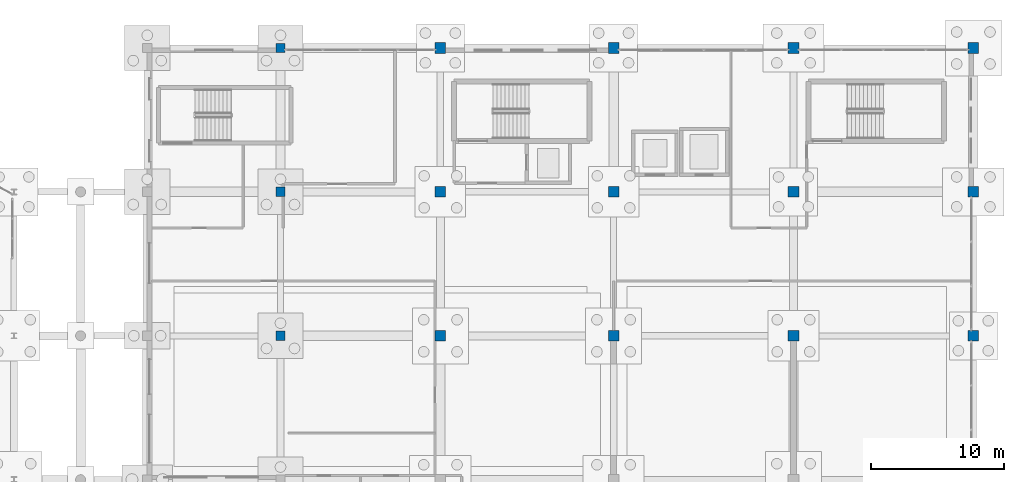
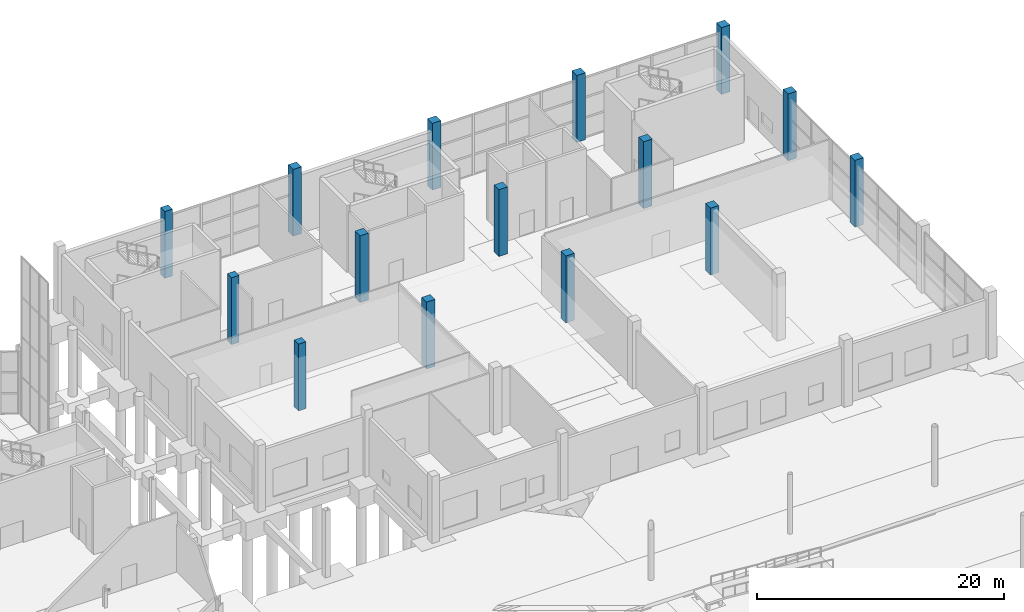
# One storey, part 31 of 115: 15 columns.
"""IFC4 building model written with IfcOpenShell, lengths in metres."""

import ifcopenshell
import ifcopenshell.guid

model = None  # the IFC model being written
_history = None  # IfcOwnerHistory: only IFC2X3 demands one
_inside = {}  # id of a spatial element -> (the spatial element, [elements in it])
_under = {}  # id of a project, library or spatial element -> (it, [spatial elements below it])
_declared = {}  # id of a project -> (the project, [libraries it declares])
_typed = {}  # id of a type object -> (the type object, [elements of that type])
_made_of = {}  # id of a material, layer set ... -> (it, [elements and type objects made of it])


def new_model(schema):
    """Start an empty IFC model of exactly this schema.

    Asked for "IFC4X3", IfcOpenShell would pick the latest addendum, in which some entities
    have other attributes; the version numbers below select the first issue.
    IFC2X3 requires an IfcOwnerHistory on every rooted entity: one is made here for all.
    """
    global model, _history
    if schema == "IFC4X3":
        model = ifcopenshell.file(schema_version=(4, 3, 0, 0))
    else:
        model = ifcopenshell.file(schema=schema)
    _inside.clear()
    _under.clear()
    _declared.clear()
    _typed.clear()
    _made_of.clear()
    _history = None
    if model.schema == "IFC2X3":
        org = make("IfcOrganization", Name="unknown")
        user = make(
            "IfcPersonAndOrganization",
            ThePerson=make("IfcPerson", FamilyName="unknown"),
            TheOrganization=org,
        )
        app = make(
            "IfcApplication",
            ApplicationDeveloper=org,
            Version="unknown",
            ApplicationFullName="unknown",
            ApplicationIdentifier="unknown",
        )
        _history = make(
            "IfcOwnerHistory",
            OwningUser=user,
            OwningApplication=app,
            ChangeAction="ADDED",
            CreationDate=0,
        )
    return model


def make(cls, **values):
    """One entity of the class cls with the attributes given. An attribute that is None is left unset."""
    return model.create_entity(
        cls, **{name: value for name, value in values.items() if value is not None}
    )


def rooted(cls, **values):
    """An entity with a GlobalId (a new one), such as an element, a storey or a relation."""
    return make(cls, GlobalId=ifcopenshell.guid.new(), OwnerHistory=_history, **values)


def si_unit(unit_type, name, prefix=None):
    """IfcSIUnit, for example si_unit("LENGTHUNIT", "METRE", prefix="MILLI")."""
    return make("IfcSIUnit", UnitType=unit_type, Prefix=prefix, Name=name)


def assignment(units):
    """IfcUnitAssignment: the units of a project."""
    return None if units is None else make("IfcUnitAssignment", Units=units)


def point(xyz):
    """IfcCartesianPoint."""
    return None if xyz is None else make("IfcCartesianPoint", Coordinates=xyz)


def direction(xyz):
    """IfcDirection."""
    return None if xyz is None else make("IfcDirection", DirectionRatios=xyz)


def frame(location, z_axis=None, x_axis=None):
    """IfcAxis2Placement3D, a coordinate frame: its origin and axes. An axis left out is left unset."""
    return make(
        "IfcAxis2Placement3D",
        Location=point(location),
        Axis=direction(z_axis),
        RefDirection=direction(x_axis),
    )


def frame_2d(location, x_axis=None):
    """IfcAxis2Placement2D, a coordinate frame in the plane: its origin and x axis."""
    return make(
        "IfcAxis2Placement2D", Location=point(location), RefDirection=direction(x_axis)
    )


def origin():
    """The frame at (0, 0, 0) with its axes left unset."""
    return frame((0.0, 0.0, 0.0))


def origin_2d():
    """The frame at (0, 0) in the plane with its x axis left unset."""
    return frame_2d((0.0, 0.0))


def place(relative_to, where):
    """IfcLocalPlacement: puts the frame where relative to a parent placement (None: the world)."""
    return make(
        "IfcLocalPlacement", PlacementRelTo=relative_to, RelativePlacement=where
    )


def context(
    kind, dimensions, precision=None, world=None, true_north=None, identifier=None
):
    """IfcGeometricRepresentationContext, for example the 3D "Model" context."""
    return make(
        "IfcGeometricRepresentationContext",
        ContextIdentifier=identifier,
        ContextType=kind,
        CoordinateSpaceDimension=dimensions,
        Precision=precision,
        WorldCoordinateSystem=world,
        TrueNorth=true_north,
    )


def subcontext(parent, identifier, kind, view, scale=None):
    """IfcGeometricRepresentationSubContext, for example "Body" below "Model"."""
    return make(
        "IfcGeometricRepresentationSubContext",
        ContextIdentifier=identifier,
        ContextType=kind,
        ParentContext=parent,
        TargetScale=scale,
        TargetView=view,
    )


def project(units=None, contexts=None):
    """IfcProject with its units and contexts."""
    return rooted(
        "IfcProject",
        Name="project",
        RepresentationContexts=contexts,
        UnitsInContext=assignment(units),
    )


def spatial(cls, under=None, at=None, **own):
    """A site, building, storey or space (cls), placed at a placement, below another one or the project."""
    s = rooted(cls, ObjectPlacement=at, **own)
    if under is not None:
        _under.setdefault(under.id(), (under, []))[1].append(s)
    return s


def profile(cls, at=None, kind="AREA", **sizes):
    """A parametric profile (cls). Its sizes go by their IFC names, for example OverallWidth=200.0."""
    return make(cls, ProfileType=kind, Position=at, **sizes)


def rectangle(**sizes):
    """IfcRectangleProfileDef."""
    return profile("IfcRectangleProfileDef", **sizes)


def extrude(swept, where, along, depth):
    """IfcExtrudedAreaSolid: the profile swept, set in the frame where, extruded along a direction by depth."""
    return make(
        "IfcExtrudedAreaSolid",
        SweptArea=swept,
        Position=where,
        ExtrudedDirection=direction(along),
        Depth=depth,
    )


def shape(context_of_items, identifier, shape_type, items):
    """IfcShapeRepresentation: the items that make up one representation, for example the "Body"."""
    return make(
        "IfcShapeRepresentation",
        ContextOfItems=context_of_items,
        RepresentationIdentifier=identifier,
        RepresentationType=shape_type,
        Items=items,
    )


def material(Name=None, Category=None):
    """IfcMaterial."""
    return make("IfcMaterial", Name=Name, Category=Category)


def material_profile(
    of_material, cross_section, Name=None, Category=None, Priority=None
):
    """IfcMaterialProfile: a cross section and its material."""
    return make(
        "IfcMaterialProfile",
        Name=Name,
        Material=of_material,
        Profile=cross_section,
        Priority=Priority,
        Category=Category,
    )


def profile_set(profiles, Name=None, composite=None):
    """IfcMaterialProfileSet."""
    return make(
        "IfcMaterialProfileSet",
        Name=Name,
        MaterialProfiles=profiles,
        CompositeProfile=composite,
    )


def made_of(thing, what):
    """Note that an element or type object is made of a material, layer set ...; save() writes the relation."""
    if what is not None:
        _made_of.setdefault(what.id(), (what, []))[1].append(thing)
    return thing


def type_object(cls, material=None, **own):
    """A type object (cls), such as IfcWallType, which elements share."""
    return made_of(rooted(cls, **own), material)


def element(
    cls,
    number,
    at=None,
    inside=None,
    cuts=None,
    type_object=None,
    material=None,
    context=None,
    identifier="Body",
    shape_type=None,
    held_by="IfcProductDefinitionShape",
    body=None,
    shapes=None,
    **own,
):
    """One element of the class cls, such as IfcWall. Its Tag is "e" and its number.

    at: its placement. inside: the storey or other place that contains it. cuts: it is an
    opening in that element (IfcRelVoidsElement). A single representation is given by context,
    identifier, shape_type and body (its items); several are given by shapes. held_by: the class
    of the entity that holds the representations. save() writes the other relations.
    """
    e = rooted(cls, Tag="e%d" % number, ObjectPlacement=at, **own)
    if body is not None:
        shapes = [shape(context, identifier, shape_type, body)]
    if shapes is not None:
        e.Representation = make(held_by, Representations=shapes)
    if inside is not None:
        _inside.setdefault(inside.id(), (inside, []))[1].append(e)
    if cuts is not None:
        rooted(
            "IfcRelVoidsElement", RelatingBuildingElement=cuts, RelatedOpeningElement=e
        )
    if type_object is not None:
        _typed.setdefault(type_object.id(), (type_object, []))[1].append(e)
    return made_of(e, material)


def aggregate(whole, parts):
    """IfcRelAggregates: a whole, such as a stair, and the parts it consists of."""
    return rooted("IfcRelAggregates", RelatingObject=whole, RelatedObjects=parts)


def save(model, path):
    """Write the relations noted so far, then the file.

    IfcRelAggregates (storeys below a building ...), IfcRelContainedInSpatialStructure (elements
    in a storey), IfcRelDefinesByType, IfcRelAssociatesMaterial and IfcRelDeclares: one each for
    every whole, place, type object, material and project.
    """
    for whole, parts in _under.values():
        aggregate(whole, parts)
    for where, things in _inside.values():
        rooted(
            "IfcRelContainedInSpatialStructure",
            RelatedElements=things,
            RelatingStructure=where,
        )
    for kind, things in _typed.values():
        rooted("IfcRelDefinesByType", RelatedObjects=things, RelatingType=kind)
    for what, things in _made_of.values():
        rooted("IfcRelAssociatesMaterial", RelatedObjects=things, RelatingMaterial=what)
    for by, libraries in _declared.values():
        rooted("IfcRelDeclares", RelatingContext=by, RelatedDefinitions=libraries)
    model.write(path)


model = new_model("IFC4")

# Units and contexts
model_context = context("Model", 3, precision=1e-05, world=origin(), true_north=direction((0.0, 1.0)))
body_context = subcontext(model_context, "Body", "Model", "MODEL_VIEW")
ifc_project = project(units=[si_unit("LENGTHUNIT", "METRE"), si_unit("AREAUNIT", "SQUARE_METRE"), si_unit("VOLUMEUNIT", "CUBIC_METRE"), si_unit("PLANEANGLEUNIT", "RADIAN"), si_unit("MASSUNIT", "GRAM", prefix="KILO")], contexts=[model_context])

# Site, building, storey
site_placement = place(None, origin())
site = spatial("IfcSite", under=ifc_project, at=site_placement, CompositionType="ELEMENT")
building_placement = place(site_placement, origin())
building = spatial("IfcBuilding", under=site, at=building_placement, Name="Tamarisk Ironworks Central Station", CompositionType="ELEMENT")
storey_placement = place(building_placement, origin())
storey = spatial("IfcBuildingStorey", under=building, at=storey_placement, Name="L00", CompositionType="ELEMENT", Elevation=0.0)

# Columns
ifc_material = material(Name="Concrete C50/60", Category="concrete")
ifc_material_profile_1 = material_profile(ifc_material, rectangle(XDim=0.800048828125, YDim=0.800048828125, at=origin_2d()), Name="RC 800x800")
ifc_profile_set_1 = profile_set([ifc_material_profile_1], Name="Concrete C50/60")
column_type_1 = type_object("IfcColumnType", Name="COL-RC01", PredefinedType="COLUMN", material=ifc_profile_set_1)
for number, where, z_axis, x_axis, name in (
    (1, (140.0, 100.800048828125, 0.0), (0.0, 0.0, 1.0), (1.0, 0.0, 0.0), "L00 column V5-17J"),
    (2, (140.0, 111.60009765625, 0.0), (0.0, 0.0, 1.0), (1.0, 0.0, 0.0), "L00 column V5-17L"),
    (3, (140.0, 122.39990234375, 0.0), (0.0, 0.0, 1.0), (1.0, 0.0, 0.0), "L00 column V5-17N"),
    (4, (153.0, 100.800048828125, 0.0), (0.0, 0.0, 1.0), (1.0, 0.0, 0.0), "L00 column V5-18J"),
    (5, (153.0, 111.60009765625, 0.0), (0.0, 0.0, 1.0), (1.0, 0.0, 0.0), "L00 column V5-18L"),
    (6, (153.0, 122.39990234375, 0.0), (0.0, 0.0, 1.0), (1.0, 0.0, 0.0), "L00 column V5-18N"),
    (7, (166.5, 100.800048828125, 0.0), (0.0, 0.0, 1.0), (1.0, 0.0, 0.0), "L00 column V5-19J"),
    (8, (166.5, 111.60009765625, 0.0), (0.0, 0.0, 1.0), (1.0, 0.0, 0.0), "L00 column V5-19L"),
    (9, (166.5, 122.39990234375, 0.0), (0.0, 0.0, 1.0), (1.0, 0.0, 0.0), "L00 column V5-19N"),
    (10, (180.0, 100.800048828125, 0.0), (0.0, 0.0, 1.0), (1.0, 0.0, 0.0), "L00 column V5-20J"),
    (11, (180.0, 111.60009765625, 0.0), (0.0, 0.0, 1.0), (1.0, 0.0, 0.0), "L00 column V5-20L"),
    (12, (180.0, 122.39990234375, 0.0), (0.0, 0.0, 1.0), (1.0, 0.0, 0.0), "L00 column V5-20N"),
):
    element("IfcColumn", number, at=place(storey_placement, frame(where, z_axis=z_axis, x_axis=x_axis)), inside=storey, type_object=column_type_1, Name=name, PredefinedType="COLUMN", context=body_context, shape_type="SweptSolid", body=[
        extrude(rectangle(XDim=0.800048828125, YDim=0.800048828125, at=origin_2d()), origin(), (0.0, 0.0, 1.0), 6.60009765625),
    ])
ifc_material_profile_2 = material_profile(ifc_material, rectangle(XDim=0.699951171875, YDim=0.699951171875, at=origin_2d()), Name="RC 700x700")
ifc_profile_set_2 = profile_set([ifc_material_profile_2], Name="Concrete C50/60")
column_type_2 = type_object("IfcColumnType", Name="COL-RC02", PredefinedType="COLUMN", material=ifc_profile_set_2)
for number, where, z_axis, x_axis, name in (
    (13, (128.0, 100.800048828125, 0.0), (0.0, 0.0, 1.0), (1.0, 0.0, 0.0), "L00 column V5-16J"),
    (14, (128.0, 111.60009765625, 0.0), (0.0, 0.0, 1.0), (1.0, 0.0, 0.0), "L00 column V5-16L"),
    (15, (128.0, 122.39990234375, 0.0), (0.0, 0.0, 1.0), (1.0, 0.0, 0.0), "L00 column V5-16N"),
):
    element("IfcColumn", number, at=place(storey_placement, frame(where, z_axis=z_axis, x_axis=x_axis)), inside=storey, type_object=column_type_2, Name=name, PredefinedType="COLUMN", context=body_context, shape_type="SweptSolid", body=[
        extrude(rectangle(XDim=0.699951171875, YDim=0.699951171875, at=origin_2d()), origin(), (0.0, 0.0, 1.0), 6.60009765625),
    ])

save(model, "model.ifc")
